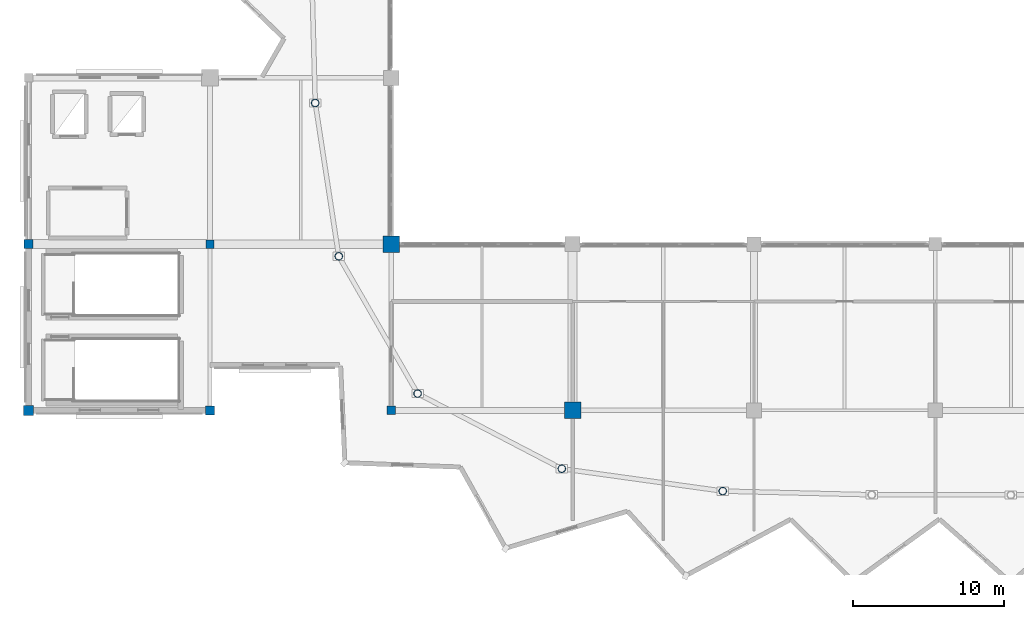
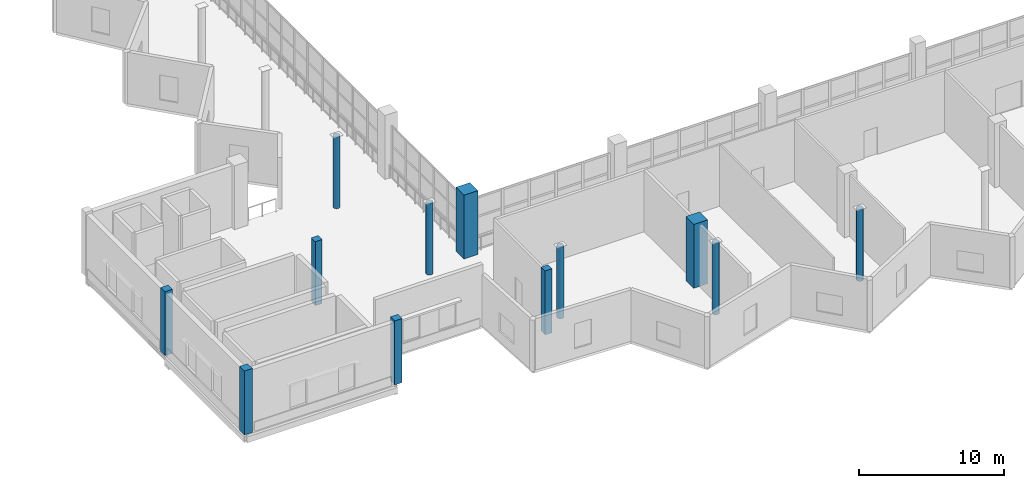
# One storey, part 1 of 49: 12 columns.
"""IFC4 building model written with IfcOpenShell, lengths in metres."""

from ifc_helpers import new_model, si_unit, direction, frame, origin, origin_2d, place, context, subcontext, project, spatial, rectangle, hollow_circle, extrude, material, material_profile, profile_set, type_object, element, save


model = new_model("IFC4")

# Units and contexts
model_context = context("Model", 3, precision=1e-05, world=origin(), true_north=direction((0.0, 1.0)))
body_context = subcontext(model_context, "Body", "Model", "MODEL_VIEW")
ifc_project = project(units=[si_unit("LENGTHUNIT", "METRE"), si_unit("AREAUNIT", "SQUARE_METRE"), si_unit("VOLUMEUNIT", "CUBIC_METRE"), si_unit("PLANEANGLEUNIT", "RADIAN"), si_unit("MASSUNIT", "GRAM", prefix="KILO")], contexts=[model_context])

# Site, building, storey
site_placement = place(None, origin())
site = spatial("IfcSite", under=ifc_project, at=site_placement, CompositionType="ELEMENT")
building_placement = place(site_placement, origin())
building = spatial("IfcBuilding", under=site, at=building_placement, Name="Luwafu Chhajja Arena", CompositionType="ELEMENT")
storey_placement = place(building_placement, frame((0.0, 0.0, 24.300048828125)))
storey = spatial("IfcBuildingStorey", under=building, at=storey_placement, Name="L05", CompositionType="ELEMENT", Elevation=24.300048828125)

# Columns
ifc_material_1 = material(Name="Concrete C40/50", Category="concrete")
ifc_material_profile_1 = material_profile(ifc_material_1, rectangle(XDim=1.10009765625, YDim=1.10009765625, at=origin_2d()), Name="RC 1100x1100")
ifc_profile_set_1 = profile_set([ifc_material_profile_1], Name="Concrete C40/50")
column_type_1 = type_object("IfcColumnType", Name="Bowl Rim Mega Column RC 1100", PredefinedType="COLUMN", material=ifc_profile_set_1)
for number, where, z_axis, x_axis, name in (
    (1, (58.0, 22.0, 0.0), (0.0, 0.0, 1.0), (1.0, 0.0, 0.0), "L05 Grid Column 6/C"),
    (2, (70.0, 11.0, 0.0), (0.0, 0.0, 1.0), (1.0, 0.0, 0.0), "L05 Grid Column 7/B"),
):
    element("IfcColumn", number, at=place(storey_placement, frame(where, z_axis=z_axis, x_axis=x_axis)), inside=storey, type_object=column_type_1, Name=name, PredefinedType="COLUMN", context=body_context, shape_type="SweptSolid", body=[
        extrude(rectangle(XDim=1.10009765625, YDim=1.10009765625, at=origin_2d()), origin(), (0.0, 0.0, 1.0), 5.39990234375),
    ])
ifc_material_2 = material(Name="Concrete C35/45", Category="concrete")
ifc_material_profile_2 = material_profile(ifc_material_2, rectangle(XDim=0.550048828125, YDim=0.550048828125, at=origin_2d()), Name="RC 550x550")
ifc_profile_set_2 = profile_set([ifc_material_profile_2], Name="Concrete C35/45")
column_type_2 = type_object("IfcColumnType", Name="Gallery Column RC 550", PredefinedType="COLUMN", material=ifc_profile_set_2)
for number, where, z_axis, x_axis, name in (
    (3, (46.0, 22.0, 0.0), (0.0, 0.0, 1.0), (1.0, 0.0, 0.0), "L05 Grid Column 5/C"),
    (4, (58.0, 11.0, 0.0), (0.0, 0.0, 1.0), (1.0, 0.0, 0.0), "L05 Grid Column 6/B"),
):
    element("IfcColumn", number, at=place(storey_placement, frame(where, z_axis=z_axis, x_axis=x_axis)), inside=storey, type_object=column_type_2, Name=name, PredefinedType="COLUMN", context=body_context, shape_type="SweptSolid", body=[
        extrude(rectangle(XDim=0.550048828125, YDim=0.550048828125, at=origin_2d()), origin(), (0.0, 0.0, 1.0), 5.39990234375),
    ])
ifc_material_profile_3 = material_profile(ifc_material_2, rectangle(XDim=0.60009765625, YDim=0.60009765625, at=origin_2d()), Name="RC 600x600")
ifc_profile_set_3 = profile_set([ifc_material_profile_3], Name="Concrete C35/45")
column_type_3 = type_object("IfcColumnType", Name="Mezzanine Column RC 600", PredefinedType="COLUMN", material=ifc_profile_set_3)
for number, where, z_axis, x_axis, name in (
    (5, (34.0, 22.0, 0.0), (0.0, 0.0, 1.0), (1.0, 0.0, 0.0), "L05 Grid Column 4/C"),
    (6, (46.0, 11.0, 0.0), (0.0, 0.0, 1.0), (1.0, 0.0, 0.0), "L05 Grid Column 5/B"),
):
    element("IfcColumn", number, at=place(storey_placement, frame(where, z_axis=z_axis, x_axis=x_axis)), inside=storey, type_object=column_type_3, Name=name, PredefinedType="COLUMN", context=body_context, shape_type="SweptSolid", body=[
        extrude(rectangle(XDim=0.60009765625, YDim=0.60009765625, at=origin_2d()), origin(), (0.0, 0.0, 1.0), 5.39990234375),
    ])
ifc_material_3 = material(Name="Steel S355", Category="steel")
ifc_material_profile_4 = material_profile(ifc_material_3, hollow_circle(Radius=0.25390625, WallThickness=0.02001953125, at=origin_2d()), Name="CHS 508x20")
ifc_profile_set_4 = profile_set([ifc_material_profile_4], Name="Steel S355")
column_type_4 = type_object("IfcColumnType", Name="Steel Upper Drum Column CHS 508", PredefinedType="COLUMN", material=ifc_profile_set_4)
for number, where, z_axis, x_axis, name in (
    (7, (52.968017578125, 31.3388671875, 0.0), (0.0, 0.0, 1.0), (1.0, 0.0, 0.0), "L05 Bowl Drum Column D19"),
    (8, (54.52392578125, 21.194091796875, 0.0), (0.0, 0.0, 1.0), (1.0, 0.0, 0.0), "L05 Bowl Drum Column D20"),
    (9, (59.743896484375, 12.109130859375, 0.0), (0.0, 0.0, 1.0), (1.0, 0.0, 0.0), "L05 Bowl Drum Column D21"),
    (10, (69.281982421875, 7.13720703125, 0.0), (0.0, 0.0, 1.0), (1.0, 0.0, 0.0), "L05 Bowl Drum Column D22"),
    (11, (79.932861328125, 5.6552734375, 0.0), (0.0, 0.0, 1.0), (1.0, 0.0, 0.0), "L05 Bowl Drum Column D23"),
):
    element("IfcColumn", number, at=place(storey_placement, frame(where, z_axis=z_axis, x_axis=x_axis)), inside=storey, type_object=column_type_4, Name=name, PredefinedType="COLUMN", context=body_context, shape_type="SweptSolid", body=[
        extrude(hollow_circle(Radius=0.25390625, WallThickness=0.02001953125, at=origin_2d()), origin(), (0.0, 0.0, 1.0), 6.050048828125),
    ])
ifc_material_profile_5 = material_profile(ifc_material_2, rectangle(XDim=0.64990234375, YDim=0.64990234375, at=origin_2d()), Name="RC 650x650")
ifc_profile_set_5 = profile_set([ifc_material_profile_5], Name="Concrete C35/45")
column_type_5 = type_object("IfcColumnType", Name="Upper Wing Column RC 650", PredefinedType="COLUMN", material=ifc_profile_set_5)
column_placement = place(storey_placement, frame((34.0, 11.0, 0.0), z_axis=(0.0, 0.0, 1.0), x_axis=(1.0, 0.0, 0.0)))
element("IfcColumn", 12, at=column_placement, inside=storey, type_object=column_type_5, Name="L05 Grid Column 4/B", PredefinedType="COLUMN", context=body_context, shape_type="SweptSolid", body=[
    extrude(rectangle(XDim=0.64990234375, YDim=0.64990234375, at=origin_2d()), origin(), (0.0, 0.0, 1.0), 5.39990234375),
])

save(model, "model.ifc")
